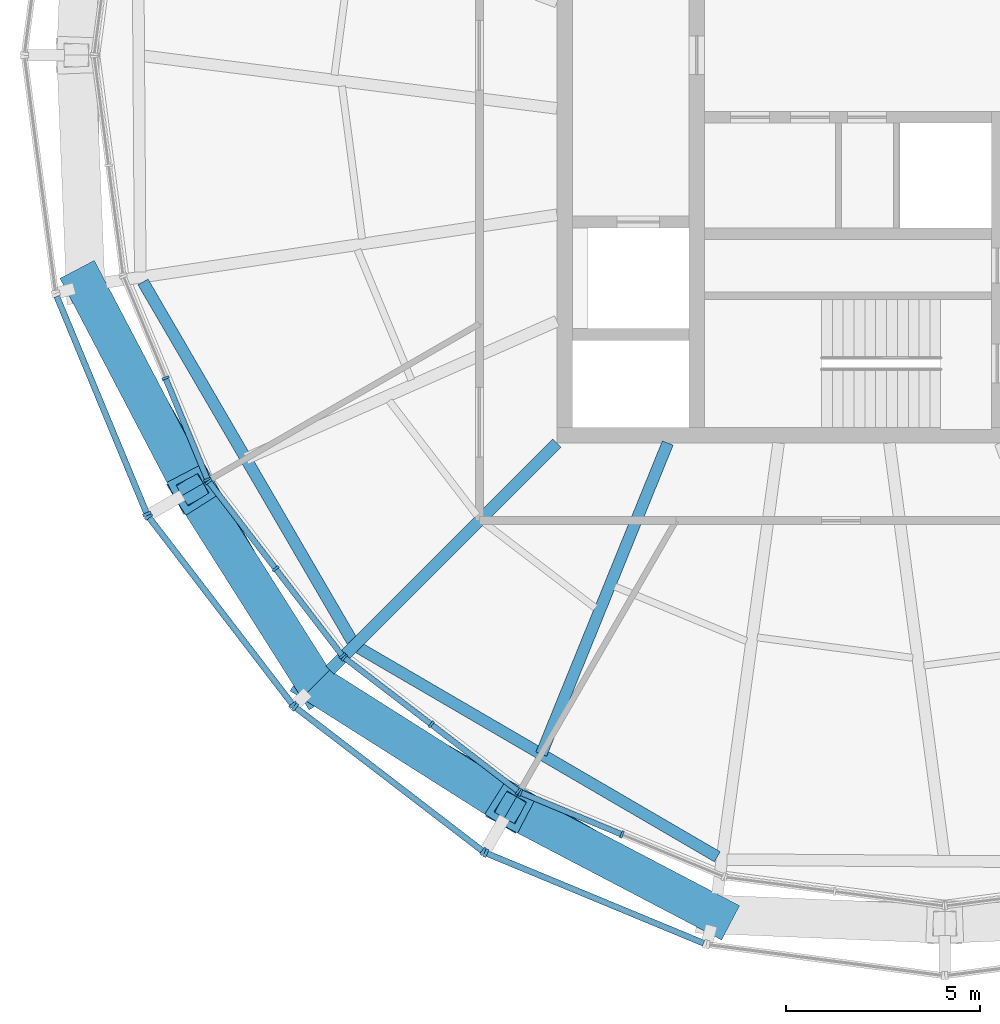
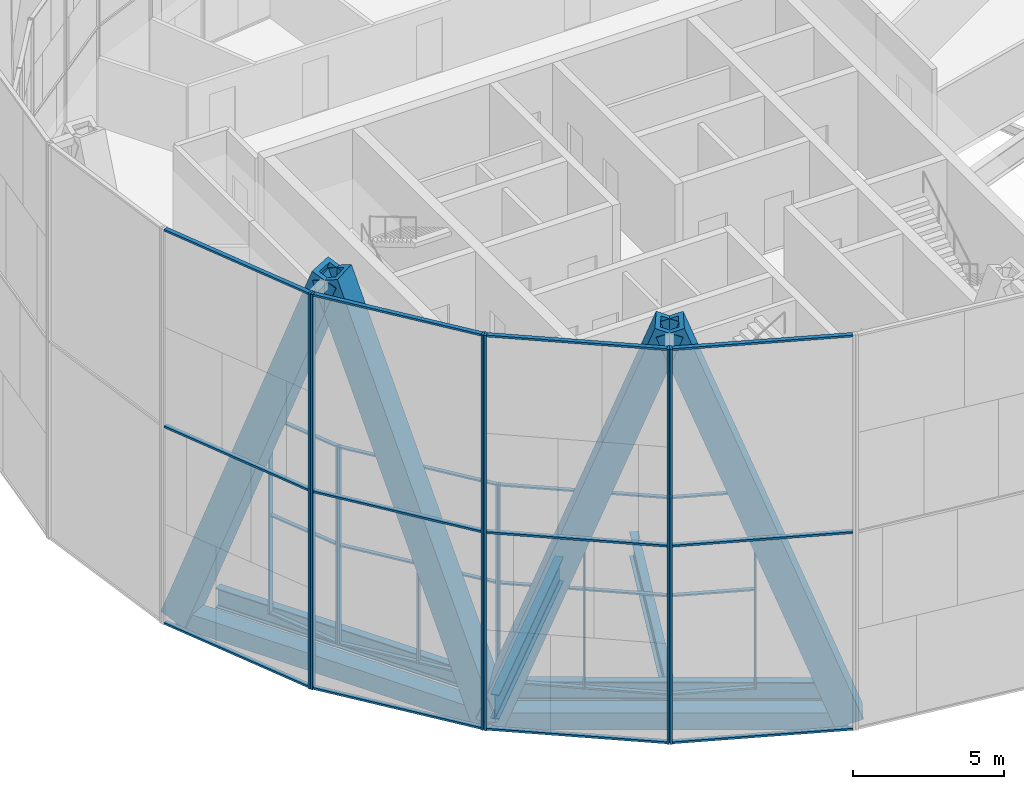
# One storey, part 1 of 22: 50 members, 6 beams, 8 elements without a shape of their own.
"""IFC4 building model written with IfcOpenShell, lengths in metres."""

import ifcopenshell
import ifcopenshell.guid

model = None  # the IFC model being written
_history = None  # IfcOwnerHistory: only IFC2X3 demands one
_inside = {}  # id of a spatial element -> (the spatial element, [elements in it])
_under = {}  # id of a project, library or spatial element -> (it, [spatial elements below it])
_declared = {}  # id of a project -> (the project, [libraries it declares])
_typed = {}  # id of a type object -> (the type object, [elements of that type])
_made_of = {}  # id of a material, layer set ... -> (it, [elements and type objects made of it])


def new_model(schema):
    """Start an empty IFC model of exactly this schema.

    Asked for "IFC4X3", IfcOpenShell would pick the latest addendum, in which some entities
    have other attributes; the version numbers below select the first issue.
    IFC2X3 requires an IfcOwnerHistory on every rooted entity: one is made here for all.
    """
    global model, _history
    if schema == "IFC4X3":
        model = ifcopenshell.file(schema_version=(4, 3, 0, 0))
    else:
        model = ifcopenshell.file(schema=schema)
    _inside.clear()
    _under.clear()
    _declared.clear()
    _typed.clear()
    _made_of.clear()
    _history = None
    if model.schema == "IFC2X3":
        org = make("IfcOrganization", Name="unknown")
        user = make(
            "IfcPersonAndOrganization",
            ThePerson=make("IfcPerson", FamilyName="unknown"),
            TheOrganization=org,
        )
        app = make(
            "IfcApplication",
            ApplicationDeveloper=org,
            Version="unknown",
            ApplicationFullName="unknown",
            ApplicationIdentifier="unknown",
        )
        _history = make(
            "IfcOwnerHistory",
            OwningUser=user,
            OwningApplication=app,
            ChangeAction="ADDED",
            CreationDate=0,
        )
    return model


def make(cls, **values):
    """One entity of the class cls with the attributes given. An attribute that is None is left unset."""
    return model.create_entity(
        cls, **{name: value for name, value in values.items() if value is not None}
    )


def rooted(cls, **values):
    """An entity with a GlobalId (a new one), such as an element, a storey or a relation."""
    return make(cls, GlobalId=ifcopenshell.guid.new(), OwnerHistory=_history, **values)


def si_unit(unit_type, name, prefix=None):
    """IfcSIUnit, for example si_unit("LENGTHUNIT", "METRE", prefix="MILLI")."""
    return make("IfcSIUnit", UnitType=unit_type, Prefix=prefix, Name=name)


def assignment(units):
    """IfcUnitAssignment: the units of a project."""
    return None if units is None else make("IfcUnitAssignment", Units=units)


def point(xyz):
    """IfcCartesianPoint."""
    return None if xyz is None else make("IfcCartesianPoint", Coordinates=xyz)


def direction(xyz):
    """IfcDirection."""
    return None if xyz is None else make("IfcDirection", DirectionRatios=xyz)


def frame(location, z_axis=None, x_axis=None):
    """IfcAxis2Placement3D, a coordinate frame: its origin and axes. An axis left out is left unset."""
    return make(
        "IfcAxis2Placement3D",
        Location=point(location),
        Axis=direction(z_axis),
        RefDirection=direction(x_axis),
    )


def frame_2d(location, x_axis=None):
    """IfcAxis2Placement2D, a coordinate frame in the plane: its origin and x axis."""
    return make(
        "IfcAxis2Placement2D", Location=point(location), RefDirection=direction(x_axis)
    )


def origin():
    """The frame at (0, 0, 0) with its axes left unset."""
    return frame((0.0, 0.0, 0.0))


def origin_2d():
    """The frame at (0, 0) in the plane with its x axis left unset."""
    return frame_2d((0.0, 0.0))


def place(relative_to, where):
    """IfcLocalPlacement: puts the frame where relative to a parent placement (None: the world)."""
    return make(
        "IfcLocalPlacement", PlacementRelTo=relative_to, RelativePlacement=where
    )


def context(
    kind, dimensions, precision=None, world=None, true_north=None, identifier=None
):
    """IfcGeometricRepresentationContext, for example the 3D "Model" context."""
    return make(
        "IfcGeometricRepresentationContext",
        ContextIdentifier=identifier,
        ContextType=kind,
        CoordinateSpaceDimension=dimensions,
        Precision=precision,
        WorldCoordinateSystem=world,
        TrueNorth=true_north,
    )


def subcontext(parent, identifier, kind, view, scale=None):
    """IfcGeometricRepresentationSubContext, for example "Body" below "Model"."""
    return make(
        "IfcGeometricRepresentationSubContext",
        ContextIdentifier=identifier,
        ContextType=kind,
        ParentContext=parent,
        TargetScale=scale,
        TargetView=view,
    )


def project(units=None, contexts=None):
    """IfcProject with its units and contexts."""
    return rooted(
        "IfcProject",
        Name="project",
        RepresentationContexts=contexts,
        UnitsInContext=assignment(units),
    )


def spatial(cls, under=None, at=None, **own):
    """A site, building, storey or space (cls), placed at a placement, below another one or the project."""
    s = rooted(cls, ObjectPlacement=at, **own)
    if under is not None:
        _under.setdefault(under.id(), (under, []))[1].append(s)
    return s


def profile(cls, at=None, kind="AREA", **sizes):
    """A parametric profile (cls). Its sizes go by their IFC names, for example OverallWidth=200.0."""
    return make(cls, ProfileType=kind, Position=at, **sizes)


def rectangle(**sizes):
    """IfcRectangleProfileDef."""
    return profile("IfcRectangleProfileDef", **sizes)


def hollow_rectangle(**sizes):
    """IfcRectangleHollowProfileDef."""
    return profile("IfcRectangleHollowProfileDef", **sizes)


def i_section(**sizes):
    """IfcIShapeProfileDef."""
    return profile("IfcIShapeProfileDef", **sizes)


def extrude(swept, where, along, depth):
    """IfcExtrudedAreaSolid: the profile swept, set in the frame where, extruded along a direction by depth."""
    return make(
        "IfcExtrudedAreaSolid",
        SweptArea=swept,
        Position=where,
        ExtrudedDirection=direction(along),
        Depth=depth,
    )


def shape(context_of_items, identifier, shape_type, items):
    """IfcShapeRepresentation: the items that make up one representation, for example the "Body"."""
    return make(
        "IfcShapeRepresentation",
        ContextOfItems=context_of_items,
        RepresentationIdentifier=identifier,
        RepresentationType=shape_type,
        Items=items,
    )


def material(Name=None, Category=None):
    """IfcMaterial."""
    return make("IfcMaterial", Name=Name, Category=Category)


def material_profile(
    of_material, cross_section, Name=None, Category=None, Priority=None
):
    """IfcMaterialProfile: a cross section and its material."""
    return make(
        "IfcMaterialProfile",
        Name=Name,
        Material=of_material,
        Profile=cross_section,
        Priority=Priority,
        Category=Category,
    )


def profile_set(profiles, Name=None, composite=None):
    """IfcMaterialProfileSet."""
    return make(
        "IfcMaterialProfileSet",
        Name=Name,
        MaterialProfiles=profiles,
        CompositeProfile=composite,
    )


def made_of(thing, what):
    """Note that an element or type object is made of a material, layer set ...; save() writes the relation."""
    if what is not None:
        _made_of.setdefault(what.id(), (what, []))[1].append(thing)
    return thing


def type_object(cls, material=None, **own):
    """A type object (cls), such as IfcWallType, which elements share."""
    return made_of(rooted(cls, **own), material)


def element(
    cls,
    number,
    at=None,
    inside=None,
    cuts=None,
    type_object=None,
    material=None,
    context=None,
    identifier="Body",
    shape_type=None,
    held_by="IfcProductDefinitionShape",
    body=None,
    shapes=None,
    **own,
):
    """One element of the class cls, such as IfcWall. Its Tag is "e" and its number.

    at: its placement. inside: the storey or other place that contains it. cuts: it is an
    opening in that element (IfcRelVoidsElement). A single representation is given by context,
    identifier, shape_type and body (its items); several are given by shapes. held_by: the class
    of the entity that holds the representations. save() writes the other relations.
    """
    e = rooted(cls, Tag="e%d" % number, ObjectPlacement=at, **own)
    if body is not None:
        shapes = [shape(context, identifier, shape_type, body)]
    if shapes is not None:
        e.Representation = make(held_by, Representations=shapes)
    if inside is not None:
        _inside.setdefault(inside.id(), (inside, []))[1].append(e)
    if cuts is not None:
        rooted(
            "IfcRelVoidsElement", RelatingBuildingElement=cuts, RelatedOpeningElement=e
        )
    if type_object is not None:
        _typed.setdefault(type_object.id(), (type_object, []))[1].append(e)
    return made_of(e, material)


def aggregate(whole, parts):
    """IfcRelAggregates: a whole, such as a stair, and the parts it consists of."""
    return rooted("IfcRelAggregates", RelatingObject=whole, RelatedObjects=parts)


def save(model, path):
    """Write the relations noted so far, then the file.

    IfcRelAggregates (storeys below a building ...), IfcRelContainedInSpatialStructure (elements
    in a storey), IfcRelDefinesByType, IfcRelAssociatesMaterial and IfcRelDeclares: one each for
    every whole, place, type object, material and project.
    """
    for whole, parts in _under.values():
        aggregate(whole, parts)
    for where, things in _inside.values():
        rooted(
            "IfcRelContainedInSpatialStructure",
            RelatedElements=things,
            RelatingStructure=where,
        )
    for kind, things in _typed.values():
        rooted("IfcRelDefinesByType", RelatedObjects=things, RelatingType=kind)
    for what, things in _made_of.values():
        rooted("IfcRelAssociatesMaterial", RelatedObjects=things, RelatingMaterial=what)
    for by, libraries in _declared.values():
        rooted("IfcRelDeclares", RelatingContext=by, RelatedDefinitions=libraries)
    model.write(path)


model = new_model("IFC4")

# Units and contexts
model_context = context("Model", 3, precision=1e-05, world=origin(), true_north=direction((0.0, 1.0)))
body_context = subcontext(model_context, "Body", "Model", "MODEL_VIEW")
ifc_project = project(units=[si_unit("LENGTHUNIT", "METRE"), si_unit("AREAUNIT", "SQUARE_METRE"), si_unit("VOLUMEUNIT", "CUBIC_METRE"), si_unit("PLANEANGLEUNIT", "RADIAN"), si_unit("MASSUNIT", "GRAM", prefix="KILO")], contexts=[model_context])

# Site, building, storey
site_placement = place(None, origin())
site = spatial("IfcSite", under=ifc_project, at=site_placement, CompositionType="ELEMENT")
building_placement = place(site_placement, origin())
building = spatial("IfcBuilding", under=site, at=building_placement, Name="Golbaran Civic Tower", CompositionType="ELEMENT")
storey_placement = place(building_placement, frame((0.0, 0.0, 264.0)))
storey = spatial("IfcBuildingStorey", under=building, at=storey_placement, Name="L64", CompositionType="ELEMENT", Elevation=264.0)

# Members
ifc_material_1 = material(Name="Steel S355", Category="steel")
ifc_material_profile_1 = material_profile(ifc_material_1, hollow_rectangle(XDim=1.0, YDim=1.0, WallThickness=0.179931640625, at=origin_2d()), Name="BOX 1000x1000x180")
ifc_profile_set_1 = profile_set([ifc_material_profile_1], Name="Steel S355")
member_type_1 = type_object("IfcMemberType", Name="DIAGRID DIAGONAL BOX 1000x1000x180", PredefinedType="BRACE", material=ifc_profile_set_1)
for number, where, z_axis, x_axis, name in (
    (1, (-22.156494140625, -5.936767578125, -0.7099609375), (0.161566793339, -0.308371574219, 0.937445008256), (0.885785690239, 0.464094506505, 0.0), "Diagonal D15-06R L64-L68"),
    (2, (-16.2197265625, -16.2197265625, -0.7099609375), (0.294110126675, -0.186270223703, 0.937444738184), (0.535053058703, 0.844818456458, 0.0), "Diagonal D15-07R L64-L68"),
    (3, (-16.2197265625, -16.2197265625, -0.7099609375), (-0.186270223703, 0.294110126675, 0.937444738184), (-0.844818456458, -0.535053058703, 0.0), "Diagonal D15-07L L64-L68"),
    (4, (-5.936767578125, -22.156494140625, -0.7099609375), (-0.308371574219, 0.161566793339, 0.937445008256), (-0.464094506505, -0.885785690239, 0.0), "Diagonal D15-08L L64-L68"),
):
    element("IfcMember", number, at=place(storey_placement, frame(where, z_axis=z_axis, x_axis=x_axis)), inside=storey, type_object=member_type_1, Name=name, PredefinedType="BRACE", context=body_context, shape_type="SweptSolid", body=[
        extrude(hollow_rectangle(XDim=1.0, YDim=1.0, WallThickness=0.179931640625, at=origin_2d()), origin(), (0.0, 0.0, 1.0), 17.067626953125),
    ])

# Beams
ifc_material_profile_2 = material_profile(ifc_material_1, hollow_rectangle(XDim=0.699951171875, YDim=0.699951171875, WallThickness=0.080078125, at=origin_2d()), Name="BOX 700x700x80")
ifc_profile_set_2 = profile_set([ifc_material_profile_2], Name="Steel S355")
beam_type_1 = type_object("IfcBeamType", Name="DIAGRID RING TIE BOX 700x700x80", PredefinedType="BEAM", material=ifc_profile_set_2)
for number, where, z_axis, x_axis, name in (
    (5, (-22.156494140625, -5.936767578125, -0.7099609375), (0.499993584989, -0.866029107461, 0.0), (0.866029107461, 0.499993584989, 0.0), "Ring tie 195.00 L64"),
    (6, (-16.2197265625, -16.2197265625, -0.7099609375), (0.866029107461, -0.499993584989, 0.0), (0.499993584989, 0.866029107461, 0.0), "Ring tie 225.00 L64"),
):
    element("IfcBeam", number, at=place(storey_placement, frame(where, z_axis=z_axis, x_axis=x_axis)), inside=storey, type_object=beam_type_1, Name=name, PredefinedType="BEAM", context=body_context, shape_type="SweptSolid", body=[
        extrude(hollow_rectangle(XDim=0.699951171875, YDim=0.699951171875, WallThickness=0.080078125, at=origin_2d()), origin(), (0.0, 0.0, 1.0), 11.873779296875),
    ])
ifc_material_profile_3 = material_profile(ifc_material_1, i_section(OverallWidth=0.300048828125, OverallDepth=0.800048828125, WebThickness=0.017578125, FlangeThickness=0.032958984375, FilletRadius=0.030029296875, at=origin_2d()), Name="HEB 800")
ifc_profile_set_3 = profile_set([ifc_material_profile_3], Name="Steel S355")
beam_type_2 = type_object("IfcBeamType", Name="EDGE BEAM HEB 800", PredefinedType="BEAM", material=ifc_profile_set_3)
beam_1_placement = place(storey_placement, frame((-20.67529296875, -5.84619140625, -0.60009765625), z_axis=(0.503221758088, -0.864157313333, 0.0), x_axis=(0.864157313333, 0.503221758088, 0.0)))
element("IfcBeam", 7, at=beam_1_placement, inside=storey, type_object=beam_type_2, Name="Edge beam 195.00 L64", PredefinedType="BEAM", context=body_context, shape_type="SweptSolid", body=[
    extrude(i_section(OverallWidth=0.300048828125, OverallDepth=0.800048828125, WebThickness=0.017578125, FlangeThickness=0.032958984375, FilletRadius=0.030029296875, at=origin_2d()), origin(), (0.0, 0.0, 1.0), 10.710205078125),
])
beam_2_placement = place(storey_placement, frame((-15.101806640625, -15.28564453125, -0.60009765625), z_axis=(0.863922987029, -0.503623939544, 0.0), x_axis=(0.503623939544, 0.863922987029, 0.0)))
element("IfcBeam", 8, at=beam_2_placement, inside=storey, type_object=beam_type_2, Name="Edge beam 225.00 L64", PredefinedType="BEAM", context=body_context, shape_type="SweptSolid", body=[
    extrude(i_section(OverallWidth=0.300048828125, OverallDepth=0.800048828125, WebThickness=0.017578125, FlangeThickness=0.032958984375, FilletRadius=0.030029296875, at=origin_2d()), origin(), (0.0, 0.0, 1.0), 10.690673828125),
])

# Curtain wall, members
ifc_material_2 = material(Name="Aluminium and glass", Category="aluminium")
curtain_wall_type_1 = type_object("IfcCurtainWallType", Name="INNER SKIN CURTAIN WALL EXECUTIVE", PredefinedType="NOTDEFINED", material=ifc_material_2)
curtain_wall_1_placement = place(storey_placement, origin())
curtain_wall_1 = element("IfcCurtainWall", 9, at=curtain_wall_1_placement, inside=storey, type_object=curtain_wall_type_1, Name="Inner skin L64 facet 14 CW2", ObjectType="INNER SKIN", PredefinedType="USERDEFINED")
ifc_material_3 = material(Name="Aluminium", Category="aluminium")
ifc_material_profile_4 = material_profile(ifc_material_3, rectangle(XDim=0.199951171875, YDim=0.06005859375, at=origin_2d()), Name="INNER SKIN CURTAIN WALL EXECUTIVE MULLION")
ifc_profile_set_4 = profile_set([ifc_material_profile_4], Name="Aluminium")
member_type_2 = type_object("IfcMemberType", Name="INNER SKIN CURTAIN WALL EXECUTIVE MULLION", PredefinedType="MULLION", material=ifc_profile_set_4)
member_1_placement = place(storey_placement, frame((-20.095703125, -8.323974609375, 0.0), z_axis=(0.0, 0.0, 1.0), x_axis=(0.923879532518, 0.382683432349, 0.0)))
member_1 = element("IfcMember", 10, at=member_1_placement, type_object=member_type_2, Name="CW2 mullion 2", PredefinedType="MULLION", context=body_context, shape_type="SweptSolid", body=[
    extrude(rectangle(XDim=0.199951171875, YDim=0.06005859375, at=origin_2d()), origin(), (0.0, 0.0, 1.0), 8.0),
])
member_2_placement = place(storey_placement, frame((-19.01123046875, -10.94189453125, 0.0), z_axis=(0.0, 0.0, 1.0), x_axis=(0.923879532518, 0.382683432349, 0.0)))
member_2 = element("IfcMember", 11, at=member_2_placement, type_object=member_type_2, Name="CW2 mullion 3", PredefinedType="MULLION", context=body_context, shape_type="SweptSolid", body=[
    extrude(rectangle(XDim=0.199951171875, YDim=0.06005859375, at=origin_2d()), origin(), (0.0, 0.0, 1.0), 8.0),
])

curtain_wall_2_placement = place(storey_placement, origin())
curtain_wall_2 = element("IfcCurtainWall", 12, at=curtain_wall_2_placement, inside=storey, type_object=curtain_wall_type_1, Name="Inner skin L64 facet 15 CW2", ObjectType="INNER SKIN", PredefinedType="USERDEFINED")
member_3_placement = place(storey_placement, frame((-18.9814453125, -10.993408203125, 0.0), z_axis=(0.0, 0.0, 1.0), x_axis=(0.793353340196, 0.608761429133, 0.0)))
member_3 = element("IfcMember", 13, at=member_3_placement, type_object=member_type_2, Name="CW2 mullion 1", PredefinedType="MULLION", context=body_context, shape_type="SweptSolid", body=[
    extrude(rectangle(XDim=0.199951171875, YDim=0.06005859375, at=origin_2d()), origin(), (0.0, 0.0, 1.0), 8.0),
])
member_4_placement = place(storey_placement, frame((-17.256591796875, -13.241455078125, 0.0), z_axis=(0.0, 0.0, 1.0), x_axis=(0.793353340196, 0.608761429133, 0.0)))
member_4 = element("IfcMember", 14, at=member_4_placement, type_object=member_type_2, Name="CW2 mullion 2", PredefinedType="MULLION", context=body_context, shape_type="SweptSolid", body=[
    extrude(rectangle(XDim=0.199951171875, YDim=0.06005859375, at=origin_2d()), origin(), (0.0, 0.0, 1.0), 8.0),
])
member_5_placement = place(storey_placement, frame((-15.531494140625, -15.489501953125, 0.0), z_axis=(0.0, 0.0, 1.0), x_axis=(0.793353340196, 0.608761429133, 0.0)))
member_5 = element("IfcMember", 15, at=member_5_placement, type_object=member_type_2, Name="CW2 mullion 3", PredefinedType="MULLION", context=body_context, shape_type="SweptSolid", body=[
    extrude(rectangle(XDim=0.199951171875, YDim=0.06005859375, at=origin_2d()), origin(), (0.0, 0.0, 1.0), 8.0),
])

curtain_wall_3_placement = place(storey_placement, origin())
curtain_wall_3 = element("IfcCurtainWall", 16, at=curtain_wall_3_placement, inside=storey, type_object=curtain_wall_type_1, Name="Inner skin L64 facet 16 CW2", ObjectType="INNER SKIN", PredefinedType="USERDEFINED")
member_6_placement = place(storey_placement, frame((-15.489501953125, -15.531494140625, 0.0), z_axis=(0.0, 0.0, 1.0), x_axis=(0.608761429133, 0.793353340196, 0.0)))
member_6 = element("IfcMember", 17, at=member_6_placement, type_object=member_type_2, Name="CW2 mullion 1", PredefinedType="MULLION", context=body_context, shape_type="SweptSolid", body=[
    extrude(rectangle(XDim=0.199951171875, YDim=0.06005859375, at=origin_2d()), origin(), (0.0, 0.0, 1.0), 8.0),
])
member_7_placement = place(storey_placement, frame((-13.241455078125, -17.256591796875, 0.0), z_axis=(0.0, 0.0, 1.0), x_axis=(0.608761429133, 0.793353340196, 0.0)))
member_7 = element("IfcMember", 18, at=member_7_placement, type_object=member_type_2, Name="CW2 mullion 2", PredefinedType="MULLION", context=body_context, shape_type="SweptSolid", body=[
    extrude(rectangle(XDim=0.199951171875, YDim=0.06005859375, at=origin_2d()), origin(), (0.0, 0.0, 1.0), 8.0),
])
member_8_placement = place(storey_placement, frame((-10.993408203125, -18.9814453125, 0.0), z_axis=(0.0, 0.0, 1.0), x_axis=(0.608761429133, 0.793353340196, 0.0)))
member_8 = element("IfcMember", 19, at=member_8_placement, type_object=member_type_2, Name="CW2 mullion 3", PredefinedType="MULLION", context=body_context, shape_type="SweptSolid", body=[
    extrude(rectangle(XDim=0.199951171875, YDim=0.06005859375, at=origin_2d()), origin(), (0.0, 0.0, 1.0), 8.0),
])

curtain_wall_4_placement = place(storey_placement, origin())
curtain_wall_4 = element("IfcCurtainWall", 20, at=curtain_wall_4_placement, inside=storey, type_object=curtain_wall_type_1, Name="Inner skin L64 facet 17 CW2", ObjectType="INNER SKIN", PredefinedType="USERDEFINED")
member_9_placement = place(storey_placement, frame((-10.94189453125, -19.01123046875, 0.0), z_axis=(0.0, 0.0, 1.0), x_axis=(0.382683432349, 0.923879532518, 0.0)))
member_9 = element("IfcMember", 21, at=member_9_placement, type_object=member_type_2, Name="CW2 mullion 1", PredefinedType="MULLION", context=body_context, shape_type="SweptSolid", body=[
    extrude(rectangle(XDim=0.199951171875, YDim=0.06005859375, at=origin_2d()), origin(), (0.0, 0.0, 1.0), 8.0),
])
member_10_placement = place(storey_placement, frame((-8.323974609375, -20.095703125, 0.0), z_axis=(0.0, 0.0, 1.0), x_axis=(0.382683432349, 0.923879532518, 0.0)))
member_10 = element("IfcMember", 22, at=member_10_placement, type_object=member_type_2, Name="CW2 mullion 2", PredefinedType="MULLION", context=body_context, shape_type="SweptSolid", body=[
    extrude(rectangle(XDim=0.199951171875, YDim=0.06005859375, at=origin_2d()), origin(), (0.0, 0.0, 1.0), 8.0),
])

# Member
ifc_material_profile_5 = material_profile(ifc_material_3, rectangle(XDim=0.14990234375, YDim=0.06005859375, at=origin_2d()), Name="INNER SKIN CURTAIN WALL EXECUTIVE TRANSOM")
ifc_profile_set_5 = profile_set([ifc_material_profile_5], Name="Aluminium")
member_type_3 = type_object("IfcMemberType", Name="INNER SKIN CURTAIN WALL EXECUTIVE TRANSOM", PredefinedType="USERDEFINED", material=ifc_profile_set_5)
member_11_placement = place(storey_placement, frame((-20.084228515625, -8.3515625, 0.030029296875), z_axis=(0.382714569924, -0.923866634297, 0.0), x_axis=(0.923866634297, 0.382714569924, 0.0)))
member_11 = element("IfcMember", 23, at=member_11_placement, type_object=member_type_3, Name="CW2 transom 2.1", ObjectType="TRANSOM", PredefinedType="USERDEFINED", context=body_context, shape_type="SweptSolid", body=[
    extrude(rectangle(XDim=0.14990234375, YDim=0.06005859375, at=origin_2d()), origin(), (0.0, 0.0, 1.0), 2.773681640625),
])

member_12_placement = place(storey_placement, frame((-20.084228515625, -8.3515625, 4.0), z_axis=(0.382714569924, -0.923866634297, 0.0), x_axis=(0.923866634297, 0.382714569924, 0.0)))
member_12 = element("IfcMember", 24, at=member_12_placement, type_object=member_type_3, Name="CW2 transom 2.2", ObjectType="TRANSOM", PredefinedType="USERDEFINED", context=body_context, shape_type="SweptSolid", body=[
    extrude(rectangle(XDim=0.14990234375, YDim=0.06005859375, at=origin_2d()), origin(), (0.0, 0.0, 1.0), 2.773681640625),
])

member_13_placement = place(storey_placement, frame((-20.084228515625, -8.3515625, 7.969970703125), z_axis=(0.382714569924, -0.923866634297, 0.0), x_axis=(0.923866634297, 0.382714569924, 0.0)))
member_13 = element("IfcMember", 25, at=member_13_placement, type_object=member_type_3, Name="CW2 transom 2.3", ObjectType="TRANSOM", PredefinedType="USERDEFINED", context=body_context, shape_type="SweptSolid", body=[
    extrude(rectangle(XDim=0.14990234375, YDim=0.06005859375, at=origin_2d()), origin(), (0.0, 0.0, 1.0), 2.773681640625),
])

aggregate(curtain_wall_1, [member_1, member_2, member_11, member_12, member_13])

member_14_placement = place(storey_placement, frame((-18.963134765625, -11.01708984375, 0.030029296875), z_axis=(0.608765964093, -0.793349860378, 0.0), x_axis=(0.793349860378, 0.608765964093, 0.0)))
member_14 = element("IfcMember", 26, at=member_14_placement, type_object=member_type_3, Name="CW2 transom 1.1", ObjectType="TRANSOM", PredefinedType="USERDEFINED", context=body_context, shape_type="SweptSolid", body=[
    extrude(rectangle(XDim=0.14990234375, YDim=0.06005859375, at=origin_2d()), origin(), (0.0, 0.0, 1.0), 2.773681640625),
])

member_15_placement = place(storey_placement, frame((-18.963134765625, -11.01708984375, 4.0), z_axis=(0.608765964093, -0.793349860378, 0.0), x_axis=(0.793349860378, 0.608765964093, 0.0)))
member_15 = element("IfcMember", 27, at=member_15_placement, type_object=member_type_3, Name="CW2 transom 1.2", ObjectType="TRANSOM", PredefinedType="USERDEFINED", context=body_context, shape_type="SweptSolid", body=[
    extrude(rectangle(XDim=0.14990234375, YDim=0.06005859375, at=origin_2d()), origin(), (0.0, 0.0, 1.0), 2.773681640625),
])

member_16_placement = place(storey_placement, frame((-18.963134765625, -11.01708984375, 7.969970703125), z_axis=(0.608765964093, -0.793349860378, 0.0), x_axis=(0.793349860378, 0.608765964093, 0.0)))
member_16 = element("IfcMember", 28, at=member_16_placement, type_object=member_type_3, Name="CW2 transom 1.3", ObjectType="TRANSOM", PredefinedType="USERDEFINED", context=body_context, shape_type="SweptSolid", body=[
    extrude(rectangle(XDim=0.14990234375, YDim=0.06005859375, at=origin_2d()), origin(), (0.0, 0.0, 1.0), 2.773681640625),
])

member_17_placement = place(storey_placement, frame((-17.23828125, -13.26513671875, 0.030029296875), z_axis=(0.608765964093, -0.793349860378, 0.0), x_axis=(0.793349860378, 0.608765964093, 0.0)))
member_17 = element("IfcMember", 29, at=member_17_placement, type_object=member_type_3, Name="CW2 transom 2.1", ObjectType="TRANSOM", PredefinedType="USERDEFINED", context=body_context, shape_type="SweptSolid", body=[
    extrude(rectangle(XDim=0.14990234375, YDim=0.06005859375, at=origin_2d()), origin(), (0.0, 0.0, 1.0), 2.773681640625),
])

member_18_placement = place(storey_placement, frame((-17.23828125, -13.26513671875, 4.0), z_axis=(0.608765964093, -0.793349860378, 0.0), x_axis=(0.793349860378, 0.608765964093, 0.0)))
member_18 = element("IfcMember", 30, at=member_18_placement, type_object=member_type_3, Name="CW2 transom 2.2", ObjectType="TRANSOM", PredefinedType="USERDEFINED", context=body_context, shape_type="SweptSolid", body=[
    extrude(rectangle(XDim=0.14990234375, YDim=0.06005859375, at=origin_2d()), origin(), (0.0, 0.0, 1.0), 2.773681640625),
])

member_19_placement = place(storey_placement, frame((-17.23828125, -13.26513671875, 7.969970703125), z_axis=(0.608765964093, -0.793349860378, 0.0), x_axis=(0.793349860378, 0.608765964093, 0.0)))
member_19 = element("IfcMember", 31, at=member_19_placement, type_object=member_type_3, Name="CW2 transom 2.3", ObjectType="TRANSOM", PredefinedType="USERDEFINED", context=body_context, shape_type="SweptSolid", body=[
    extrude(rectangle(XDim=0.14990234375, YDim=0.06005859375, at=origin_2d()), origin(), (0.0, 0.0, 1.0), 2.773681640625),
])

aggregate(curtain_wall_2, [member_3, member_4, member_5, member_14, member_15, member_16, member_17, member_18, member_19])

member_20_placement = place(storey_placement, frame((-15.465576171875, -15.5498046875, 0.030029296875), z_axis=(0.793349860378, -0.608765964093, 0.0), x_axis=(0.608765964093, 0.793349860378, 0.0)))
member_20 = element("IfcMember", 32, at=member_20_placement, type_object=member_type_3, Name="CW2 transom 1.1", ObjectType="TRANSOM", PredefinedType="USERDEFINED", context=body_context, shape_type="SweptSolid", body=[
    extrude(rectangle(XDim=0.14990234375, YDim=0.06005859375, at=origin_2d()), origin(), (0.0, 0.0, 1.0), 2.773681640625),
])

member_21_placement = place(storey_placement, frame((-15.465576171875, -15.5498046875, 4.0), z_axis=(0.793349860378, -0.608765964093, 0.0), x_axis=(0.608765964093, 0.793349860378, 0.0)))
member_21 = element("IfcMember", 33, at=member_21_placement, type_object=member_type_3, Name="CW2 transom 1.2", ObjectType="TRANSOM", PredefinedType="USERDEFINED", context=body_context, shape_type="SweptSolid", body=[
    extrude(rectangle(XDim=0.14990234375, YDim=0.06005859375, at=origin_2d()), origin(), (0.0, 0.0, 1.0), 2.773681640625),
])

member_22_placement = place(storey_placement, frame((-15.465576171875, -15.5498046875, 7.969970703125), z_axis=(0.793349860378, -0.608765964093, 0.0), x_axis=(0.608765964093, 0.793349860378, 0.0)))
member_22 = element("IfcMember", 34, at=member_22_placement, type_object=member_type_3, Name="CW2 transom 1.3", ObjectType="TRANSOM", PredefinedType="USERDEFINED", context=body_context, shape_type="SweptSolid", body=[
    extrude(rectangle(XDim=0.14990234375, YDim=0.06005859375, at=origin_2d()), origin(), (0.0, 0.0, 1.0), 2.773681640625),
])

member_23_placement = place(storey_placement, frame((-13.217529296875, -17.274658203125, 0.030029296875), z_axis=(0.793349860378, -0.608765964093, 0.0), x_axis=(0.608765964093, 0.793349860378, 0.0)))
member_23 = element("IfcMember", 35, at=member_23_placement, type_object=member_type_3, Name="CW2 transom 2.1", ObjectType="TRANSOM", PredefinedType="USERDEFINED", context=body_context, shape_type="SweptSolid", body=[
    extrude(rectangle(XDim=0.14990234375, YDim=0.06005859375, at=origin_2d()), origin(), (0.0, 0.0, 1.0), 2.773681640625),
])

member_24_placement = place(storey_placement, frame((-13.217529296875, -17.274658203125, 4.0), z_axis=(0.793349860378, -0.608765964093, 0.0), x_axis=(0.608765964093, 0.793349860378, 0.0)))
member_24 = element("IfcMember", 36, at=member_24_placement, type_object=member_type_3, Name="CW2 transom 2.2", ObjectType="TRANSOM", PredefinedType="USERDEFINED", context=body_context, shape_type="SweptSolid", body=[
    extrude(rectangle(XDim=0.14990234375, YDim=0.06005859375, at=origin_2d()), origin(), (0.0, 0.0, 1.0), 2.773681640625),
])

member_25_placement = place(storey_placement, frame((-13.217529296875, -17.274658203125, 7.969970703125), z_axis=(0.793349860378, -0.608765964093, 0.0), x_axis=(0.608765964093, 0.793349860378, 0.0)))
member_25 = element("IfcMember", 37, at=member_25_placement, type_object=member_type_3, Name="CW2 transom 2.3", ObjectType="TRANSOM", PredefinedType="USERDEFINED", context=body_context, shape_type="SweptSolid", body=[
    extrude(rectangle(XDim=0.14990234375, YDim=0.06005859375, at=origin_2d()), origin(), (0.0, 0.0, 1.0), 2.773681640625),
])

aggregate(curtain_wall_3, [member_6, member_7, member_8, member_20, member_21, member_22, member_23, member_24, member_25])

member_26_placement = place(storey_placement, frame((-10.9140625, -19.022705078125, 0.030029296875), z_axis=(0.923866634297, -0.382714569924, 0.0), x_axis=(0.382714569924, 0.923866634297, 0.0)))
member_26 = element("IfcMember", 38, at=member_26_placement, type_object=member_type_3, Name="CW2 transom 1.1", ObjectType="TRANSOM", PredefinedType="USERDEFINED", context=body_context, shape_type="SweptSolid", body=[
    extrude(rectangle(XDim=0.14990234375, YDim=0.06005859375, at=origin_2d()), origin(), (0.0, 0.0, 1.0), 2.773681640625),
])

member_27_placement = place(storey_placement, frame((-10.9140625, -19.022705078125, 4.0), z_axis=(0.923866634297, -0.382714569924, 0.0), x_axis=(0.382714569924, 0.923866634297, 0.0)))
member_27 = element("IfcMember", 39, at=member_27_placement, type_object=member_type_3, Name="CW2 transom 1.2", ObjectType="TRANSOM", PredefinedType="USERDEFINED", context=body_context, shape_type="SweptSolid", body=[
    extrude(rectangle(XDim=0.14990234375, YDim=0.06005859375, at=origin_2d()), origin(), (0.0, 0.0, 1.0), 2.773681640625),
])

member_28_placement = place(storey_placement, frame((-10.9140625, -19.022705078125, 7.969970703125), z_axis=(0.923866634297, -0.382714569924, 0.0), x_axis=(0.382714569924, 0.923866634297, 0.0)))
member_28 = element("IfcMember", 40, at=member_28_placement, type_object=member_type_3, Name="CW2 transom 1.3", ObjectType="TRANSOM", PredefinedType="USERDEFINED", context=body_context, shape_type="SweptSolid", body=[
    extrude(rectangle(XDim=0.14990234375, YDim=0.06005859375, at=origin_2d()), origin(), (0.0, 0.0, 1.0), 2.773681640625),
])

aggregate(curtain_wall_4, [member_9, member_10, member_26, member_27, member_28])

# Curtain wall, member
curtain_wall_type_2 = type_object("IfcCurtainWallType", Name="OUTER SKIN TERRACOTTA SCREEN", PredefinedType="NOTDEFINED", material=ifc_material_2)
curtain_wall_5_placement = place(storey_placement, origin())
curtain_wall_5 = element("IfcCurtainWall", 41, at=curtain_wall_5_placement, inside=storey, type_object=curtain_wall_type_2, Name="Outer skin L64 facet 14 CW3", ObjectType="OUTER SKIN", PredefinedType="USERDEFINED")
ifc_material_profile_6 = material_profile(ifc_material_3, rectangle(XDim=0.219970703125, YDim=0.080078125, at=origin_2d()), Name="OUTER SKIN TERRACOTTA SCREEN MULLION")
ifc_profile_set_6 = profile_set([ifc_material_profile_6], Name="Aluminium")
member_type_4 = type_object("IfcMemberType", Name="OUTER SKIN TERRACOTTA SCREEN MULLION", PredefinedType="MULLION", material=ifc_profile_set_6)
member_29_placement = place(storey_placement, frame((-20.572998046875, -11.83203125, -0.7099609375), z_axis=(0.0, 0.0, 1.0), x_axis=(0.923879532525, 0.382683432333, 0.0)))
member_29 = element("IfcMember", 42, at=member_29_placement, type_object=member_type_4, Name="CW3 mullion 2", PredefinedType="MULLION", context=body_context, shape_type="SweptSolid", body=[
    extrude(rectangle(XDim=0.219970703125, YDim=0.080078125, at=origin_2d()), origin(), (0.0, 0.0, 1.0), 16.0),
])

# Curtain wall, members
curtain_wall_6_placement = place(storey_placement, origin())
curtain_wall_6 = element("IfcCurtainWall", 43, at=curtain_wall_6_placement, inside=storey, type_object=curtain_wall_type_2, Name="Outer skin L64 facet 15 CW3", ObjectType="OUTER SKIN", PredefinedType="USERDEFINED")
member_30_placement = place(storey_placement, frame((-20.533447265625, -11.900634765625, -0.7099609375), z_axis=(0.0, 0.0, 1.0), x_axis=(0.793353340323, 0.608761428967, 0.0)))
member_30 = element("IfcMember", 44, at=member_30_placement, type_object=member_type_4, Name="CW3 mullion 1", PredefinedType="MULLION", context=body_context, shape_type="SweptSolid", body=[
    extrude(rectangle(XDim=0.219970703125, YDim=0.080078125, at=origin_2d()), origin(), (0.0, 0.0, 1.0), 16.0),
])
member_31_placement = place(storey_placement, frame((-16.8095703125, -16.753662109375, -0.7099609375), z_axis=(0.0, 0.0, 1.0), x_axis=(0.793353340323, 0.608761428967, 0.0)))
member_31 = element("IfcMember", 45, at=member_31_placement, type_object=member_type_4, Name="CW3 mullion 2", PredefinedType="MULLION", context=body_context, shape_type="SweptSolid", body=[
    extrude(rectangle(XDim=0.219970703125, YDim=0.080078125, at=origin_2d()), origin(), (0.0, 0.0, 1.0), 16.0),
])

curtain_wall_7_placement = place(storey_placement, origin())
curtain_wall_7 = element("IfcCurtainWall", 46, at=curtain_wall_7_placement, inside=storey, type_object=curtain_wall_type_2, Name="Outer skin L64 facet 16 CW3", ObjectType="OUTER SKIN", PredefinedType="USERDEFINED")
member_32_placement = place(storey_placement, frame((-16.753662109375, -16.8095703125, -0.7099609375), z_axis=(0.0, 0.0, 1.0), x_axis=(0.608761428967, 0.793353340323, 0.0)))
member_32 = element("IfcMember", 47, at=member_32_placement, type_object=member_type_4, Name="CW3 mullion 1", PredefinedType="MULLION", context=body_context, shape_type="SweptSolid", body=[
    extrude(rectangle(XDim=0.219970703125, YDim=0.080078125, at=origin_2d()), origin(), (0.0, 0.0, 1.0), 16.0),
])
member_33_placement = place(storey_placement, frame((-11.900634765625, -20.533447265625, -0.7099609375), z_axis=(0.0, 0.0, 1.0), x_axis=(0.608761428967, 0.793353340323, 0.0)))
member_33 = element("IfcMember", 48, at=member_33_placement, type_object=member_type_4, Name="CW3 mullion 2", PredefinedType="MULLION", context=body_context, shape_type="SweptSolid", body=[
    extrude(rectangle(XDim=0.219970703125, YDim=0.080078125, at=origin_2d()), origin(), (0.0, 0.0, 1.0), 16.0),
])

# Curtain wall, member
curtain_wall_8_placement = place(storey_placement, origin())
curtain_wall_8 = element("IfcCurtainWall", 49, at=curtain_wall_8_placement, inside=storey, type_object=curtain_wall_type_2, Name="Outer skin L64 facet 17 CW3", ObjectType="OUTER SKIN", PredefinedType="USERDEFINED")
member_34_placement = place(storey_placement, frame((-11.83203125, -20.572998046875, -0.7099609375), z_axis=(0.0, 0.0, 1.0), x_axis=(0.382683432333, 0.923879532525, 0.0)))
member_34 = element("IfcMember", 50, at=member_34_placement, type_object=member_type_4, Name="CW3 mullion 1", PredefinedType="MULLION", context=body_context, shape_type="SweptSolid", body=[
    extrude(rectangle(XDim=0.219970703125, YDim=0.080078125, at=origin_2d()), origin(), (0.0, 0.0, 1.0), 16.0),
])

# Member
ifc_material_profile_7 = material_profile(ifc_material_3, rectangle(XDim=0.159912109375, YDim=0.080078125, at=origin_2d()), Name="OUTER SKIN TERRACOTTA SCREEN TRANSOM")
ifc_profile_set_7 = profile_set([ifc_material_profile_7], Name="Aluminium")
member_type_5 = type_object("IfcMemberType", Name="OUTER SKIN TERRACOTTA SCREEN TRANSOM", PredefinedType="USERDEFINED", material=ifc_profile_set_7)
member_35_placement = place(storey_placement, frame((-22.8984375, -6.2177734375, -0.669921875), z_axis=(0.382658963964, -0.923889667275, 0.0), x_axis=(0.923889667275, 0.382658963964, 0.0)))
member_35 = element("IfcMember", 51, at=member_35_placement, type_object=member_type_5, Name="CW3 transom 1.1", ObjectType="TRANSOM", PredefinedType="USERDEFINED", context=body_context, shape_type="SweptSolid", body=[
    extrude(rectangle(XDim=0.159912109375, YDim=0.080078125, at=origin_2d()), origin(), (0.0, 0.0, 1.0), 6.036865234375),
])

member_36_placement = place(storey_placement, frame((-22.8984375, -6.2177734375, 7.2900390625), z_axis=(0.382658963964, -0.923889667275, 0.0), x_axis=(0.923889667275, 0.382658963964, 0.0)))
member_36 = element("IfcMember", 52, at=member_36_placement, type_object=member_type_5, Name="CW3 transom 1.2", ObjectType="TRANSOM", PredefinedType="USERDEFINED", context=body_context, shape_type="SweptSolid", body=[
    extrude(rectangle(XDim=0.159912109375, YDim=0.080078125, at=origin_2d()), origin(), (0.0, 0.0, 1.0), 6.036865234375),
])

member_37_placement = place(storey_placement, frame((-22.8984375, -6.2177734375, 15.25), z_axis=(0.382658963964, -0.923889667275, 0.0), x_axis=(0.923889667275, 0.382658963964, 0.0)))
member_37 = element("IfcMember", 53, at=member_37_placement, type_object=member_type_5, Name="CW3 transom 1.3", ObjectType="TRANSOM", PredefinedType="USERDEFINED", context=body_context, shape_type="SweptSolid", body=[
    extrude(rectangle(XDim=0.159912109375, YDim=0.080078125, at=origin_2d()), origin(), (0.0, 0.0, 1.0), 6.036865234375),
])

aggregate(curtain_wall_5, [member_29, member_35, member_36, member_37])

member_38_placement = place(storey_placement, frame((-20.509033203125, -11.932373046875, -0.669921875), z_axis=(0.608750716789, -0.793361559952, 0.0), x_axis=(0.793361559952, 0.608750716789, 0.0)))
member_38 = element("IfcMember", 54, at=member_38_placement, type_object=member_type_5, Name="CW3 transom 1.1", ObjectType="TRANSOM", PredefinedType="USERDEFINED", context=body_context, shape_type="SweptSolid", body=[
    extrude(rectangle(XDim=0.159912109375, YDim=0.080078125, at=origin_2d()), origin(), (0.0, 0.0, 1.0), 6.037109375),
])

member_39_placement = place(storey_placement, frame((-20.509033203125, -11.932373046875, 7.2900390625), z_axis=(0.608750716789, -0.793361559952, 0.0), x_axis=(0.793361559952, 0.608750716789, 0.0)))
member_39 = element("IfcMember", 55, at=member_39_placement, type_object=member_type_5, Name="CW3 transom 1.2", ObjectType="TRANSOM", PredefinedType="USERDEFINED", context=body_context, shape_type="SweptSolid", body=[
    extrude(rectangle(XDim=0.159912109375, YDim=0.080078125, at=origin_2d()), origin(), (0.0, 0.0, 1.0), 6.037109375),
])

member_40_placement = place(storey_placement, frame((-20.509033203125, -11.932373046875, 15.25), z_axis=(0.608750716789, -0.793361559952, 0.0), x_axis=(0.793361559952, 0.608750716789, 0.0)))
member_40 = element("IfcMember", 56, at=member_40_placement, type_object=member_type_5, Name="CW3 transom 1.3", ObjectType="TRANSOM", PredefinedType="USERDEFINED", context=body_context, shape_type="SweptSolid", body=[
    extrude(rectangle(XDim=0.159912109375, YDim=0.080078125, at=origin_2d()), origin(), (0.0, 0.0, 1.0), 6.037109375),
])

aggregate(curtain_wall_6, [member_30, member_31, member_38, member_39, member_40])

member_41_placement = place(storey_placement, frame((-16.721923828125, -16.833984375, -0.669921875), z_axis=(0.793361559952, -0.608750716789, 0.0), x_axis=(0.608750716789, 0.793361559952, 0.0)))
member_41 = element("IfcMember", 57, at=member_41_placement, type_object=member_type_5, Name="CW3 transom 1.1", ObjectType="TRANSOM", PredefinedType="USERDEFINED", context=body_context, shape_type="SweptSolid", body=[
    extrude(rectangle(XDim=0.159912109375, YDim=0.080078125, at=origin_2d()), origin(), (0.0, 0.0, 1.0), 6.037109375),
])

member_42_placement = place(storey_placement, frame((-16.721923828125, -16.833984375, 7.2900390625), z_axis=(0.793361559952, -0.608750716789, 0.0), x_axis=(0.608750716789, 0.793361559952, 0.0)))
member_42 = element("IfcMember", 58, at=member_42_placement, type_object=member_type_5, Name="CW3 transom 1.2", ObjectType="TRANSOM", PredefinedType="USERDEFINED", context=body_context, shape_type="SweptSolid", body=[
    extrude(rectangle(XDim=0.159912109375, YDim=0.080078125, at=origin_2d()), origin(), (0.0, 0.0, 1.0), 6.037109375),
])

member_43_placement = place(storey_placement, frame((-16.721923828125, -16.833984375, 15.25), z_axis=(0.793361559952, -0.608750716789, 0.0), x_axis=(0.608750716789, 0.793361559952, 0.0)))
member_43 = element("IfcMember", 59, at=member_43_placement, type_object=member_type_5, Name="CW3 transom 1.3", ObjectType="TRANSOM", PredefinedType="USERDEFINED", context=body_context, shape_type="SweptSolid", body=[
    extrude(rectangle(XDim=0.159912109375, YDim=0.080078125, at=origin_2d()), origin(), (0.0, 0.0, 1.0), 6.037109375),
])

aggregate(curtain_wall_7, [member_32, member_33, member_41, member_42, member_43])

member_44_placement = place(storey_placement, frame((-11.795166015625, -20.58837890625, -0.669921875), z_axis=(0.923889667275, -0.382658963964, 0.0), x_axis=(0.382658963964, 0.923889667275, 0.0)))
member_44 = element("IfcMember", 60, at=member_44_placement, type_object=member_type_5, Name="CW3 transom 1.1", ObjectType="TRANSOM", PredefinedType="USERDEFINED", context=body_context, shape_type="SweptSolid", body=[
    extrude(rectangle(XDim=0.159912109375, YDim=0.080078125, at=origin_2d()), origin(), (0.0, 0.0, 1.0), 6.036865234375),
])

member_45_placement = place(storey_placement, frame((-11.795166015625, -20.58837890625, 7.2900390625), z_axis=(0.923889667275, -0.382658963964, 0.0), x_axis=(0.382658963964, 0.923889667275, 0.0)))
member_45 = element("IfcMember", 61, at=member_45_placement, type_object=member_type_5, Name="CW3 transom 1.2", ObjectType="TRANSOM", PredefinedType="USERDEFINED", context=body_context, shape_type="SweptSolid", body=[
    extrude(rectangle(XDim=0.159912109375, YDim=0.080078125, at=origin_2d()), origin(), (0.0, 0.0, 1.0), 6.036865234375),
])

member_46_placement = place(storey_placement, frame((-11.795166015625, -20.58837890625, 15.25), z_axis=(0.923889667275, -0.382658963964, 0.0), x_axis=(0.382658963964, 0.923889667275, 0.0)))
member_46 = element("IfcMember", 62, at=member_46_placement, type_object=member_type_5, Name="CW3 transom 1.3", ObjectType="TRANSOM", PredefinedType="USERDEFINED", context=body_context, shape_type="SweptSolid", body=[
    extrude(rectangle(XDim=0.159912109375, YDim=0.080078125, at=origin_2d()), origin(), (0.0, 0.0, 1.0), 6.036865234375),
])

aggregate(curtain_wall_8, [member_34, member_44, member_45, member_46])

# Beams
ifc_material_profile_8 = material_profile(ifc_material_1, i_section(OverallWidth=0.300048828125, OverallDepth=1.0, WebThickness=0.01904296875, FlangeThickness=0.035888671875, FilletRadius=0.030029296875, at=origin_2d()), Name="HEB 1000")
ifc_profile_set_8 = profile_set([ifc_material_profile_8], Name="Steel S355")
beam_type_3 = type_object("IfcBeamType", Name="RADIAL FLOOR BEAM HEB 1000", PredefinedType="BEAM", material=ifc_profile_set_8)
beam_3_placement = place(storey_placement, frame((-10.0, -10.0, -0.7099609375), z_axis=(-0.707106781187, -0.707106781187, 0.0), x_axis=(0.707106781187, -0.707106781187, 0.0)))
element("IfcBeam", 63, at=beam_3_placement, inside=storey, type_object=beam_type_3, Name="Radial beam 225.00 L64", PredefinedType="BEAM", context=body_context, shape_type="SweptSolid", body=[
    extrude(i_section(OverallWidth=0.300048828125, OverallDepth=1.0, WebThickness=0.01904296875, FlangeThickness=0.035888671875, FilletRadius=0.030029296875, at=origin_2d()), origin(), (0.0, 0.0, 1.0), 8.283203125),
])
ifc_material_profile_9 = material_profile(ifc_material_1, i_section(OverallWidth=0.300048828125, OverallDepth=1.0, WebThickness=0.01904296875, FlangeThickness=0.035888671875, FilletRadius=0.030029296875, at=origin_2d()), Name="HEB 1000")
ifc_profile_set_9 = profile_set([ifc_material_profile_9], Name="Steel S355")
beam_type_4 = type_object("IfcBeamType", Name="SECONDARY FLOOR BEAM HEB 1000", PredefinedType="BEAM", material=ifc_profile_set_9)
beam_4_placement = place(storey_placement, frame((-7.142822265625, -10.0, -0.7099609375), z_axis=(-0.376725571532, -0.926324912627, 0.0), x_axis=(0.926324912627, -0.376725571532, 0.0)))
element("IfcBeam", 64, at=beam_4_placement, inside=storey, type_object=beam_type_4, Name="Secondary beam 240.00 L64", PredefinedType="BEAM", context=body_context, shape_type="SweptSolid", body=[
    extrude(i_section(OverallWidth=0.300048828125, OverallDepth=1.0, WebThickness=0.01904296875, FlangeThickness=0.035888671875, FilletRadius=0.030029296875, at=origin_2d()), origin(), (0.0, 0.0, 1.0), 8.661376953125),
])

save(model, "model.ifc")
